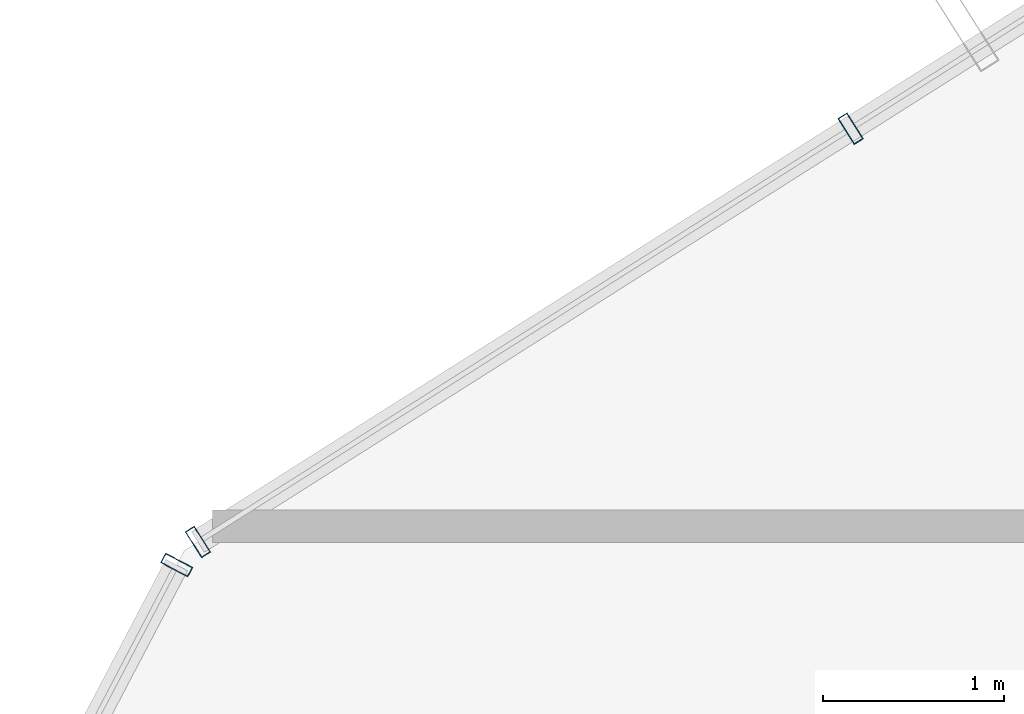
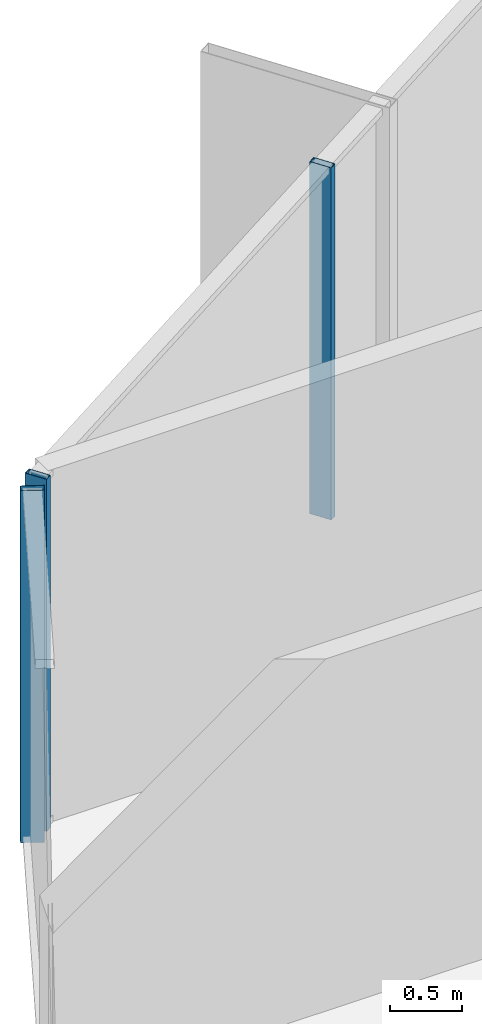
# One storey, part 17 of 32: 3 members, 2 elements without a shape of their own.
"""IFC4 building model written with IfcOpenShell, lengths in metres."""

from ifc_helpers import new_model, si_unit, direction, frame, origin, origin_2d, place, context, subcontext, project, spatial, hollow_rectangle, extrude, source, transform, mapped, material, layer, layer_set, material_profile, profile_set, type_object, element, aggregate, save


model = new_model("IFC4")

# Units and contexts
model_context = context("Model", 3, precision=1e-05, world=origin(), true_north=direction((0.0, 1.0)))
body_context = subcontext(model_context, "Body", "Model", "MODEL_VIEW")
ifc_project = project(units=[si_unit("LENGTHUNIT", "METRE"), si_unit("AREAUNIT", "SQUARE_METRE"), si_unit("VOLUMEUNIT", "CUBIC_METRE"), si_unit("PLANEANGLEUNIT", "RADIAN"), si_unit("MASSUNIT", "GRAM", prefix="KILO")], contexts=[model_context])

# Site, building, storey
site_placement = place(None, origin())
site = spatial("IfcSite", under=ifc_project, at=site_placement, CompositionType="ELEMENT")
building_placement = place(site_placement, origin())
building = spatial("IfcBuilding", under=site, at=building_placement, Name="Veraguas Prism Commons", CompositionType="ELEMENT")
storey_placement = place(building_placement, frame((0.0, 0.0, 136.0)))
storey = spatial("IfcBuildingStorey", under=building, at=storey_placement, Name="L38", CompositionType="ELEMENT", Elevation=136.0)

# Curtain wall, members
ifc_material = material(Name="Anodised aluminium EN AW-6063 T6", Category="aluminium")
ifc_layer = layer(ifc_material, 0.169921875, Name="Unitised Flush Curtain Wall Zone 2", Category="aluminium")
ifc_layer_set = layer_set([ifc_layer], Name="Anodised aluminium EN AW-6063 T6")
curtain_wall_type = type_object("IfcCurtainWallType", Name="Unitised Flush Curtain Wall Zone 2", PredefinedType="NOTDEFINED", material=ifc_layer_set)
curtain_wall_1_placement = place(storey_placement, origin())
curtain_wall_1 = element("IfcCurtainWall", 1, at=curtain_wall_1_placement, inside=storey, type_object=curtain_wall_type, Name="Tower Facade Curtain Wall L38-F2", PredefinedType="NOTDEFINED")
ifc_material_profile = material_profile(ifc_material, hollow_rectangle(XDim=0.06005859375, YDim=0.169921875, WallThickness=0.00390625, at=origin_2d()), Name="AL60X170X4")
ifc_profile_set = profile_set([ifc_material_profile], Name="Anodised aluminium EN AW-6063 T6")
member_type = type_object("IfcMemberType", Name="Curtain Wall Mullion Lower AL 60x170x4", PredefinedType="MULLION", material=ifc_profile_set)
shared_shape = source(origin(), body_context, "Body", "SweptSolid", [
    extrude(hollow_rectangle(XDim=0.06005859375, YDim=0.169921875, WallThickness=0.00390625, at=origin_2d()), origin(), (0.0, 0.0, 1.0), 3.0),
])
member_1_placement = place(storey_placement, frame((10.09814453125, 37.902099609375, 0.0), z_axis=(0.0, 0.0, 1.0), x_axis=(-0.844887645301, -0.534943797813, 0.0)))
member_1 = element("IfcMember", 2, at=member_1_placement, type_object=member_type, Name="CW-Z2 Mullion 4", PredefinedType="MULLION", context=body_context, shape_type="MappedRepresentation", body=[
    mapped(shared_shape, transform((0.0, 0.0, 0.0), scale=1.0)),
])
member_2_placement = place(storey_placement, frame((6.483154296875, 35.61328125, 0.0), z_axis=(0.0, 0.0, 1.0), x_axis=(-0.844887645301, -0.534943797813, 0.0)))
member_2 = element("IfcMember", 3, at=member_2_placement, type_object=member_type, Name="CW-Z2 Mullion 5", PredefinedType="MULLION", context=body_context, shape_type="MappedRepresentation", body=[
    mapped(shared_shape, transform((0.0, 0.0, 0.0), scale=1.0)),
])
aggregate(curtain_wall_1, [member_1, member_2])

# Curtain wall, member
curtain_wall_2_placement = place(storey_placement, origin())
curtain_wall_2 = element("IfcCurtainWall", 4, at=curtain_wall_2_placement, inside=storey, type_object=curtain_wall_type, Name="Chamfer Curtain Wall L38-C3", PredefinedType="NOTDEFINED")
member_3_placement = place(storey_placement, frame((6.365478515625, 35.485595703125, 0.0), z_axis=(0.0, 0.0, 1.0), x_axis=(-0.464200622938, -0.885730083978, 0.0)))
member_3 = element("IfcMember", 5, at=member_3_placement, type_object=member_type, Name="CW-Z2 Mullion 1", PredefinedType="MULLION", context=body_context, shape_type="MappedRepresentation", body=[
    mapped(shared_shape, transform((0.0, 0.0, 0.0), scale=1.0)),
])
aggregate(curtain_wall_2, [member_3])

save(model, "model.ifc")
